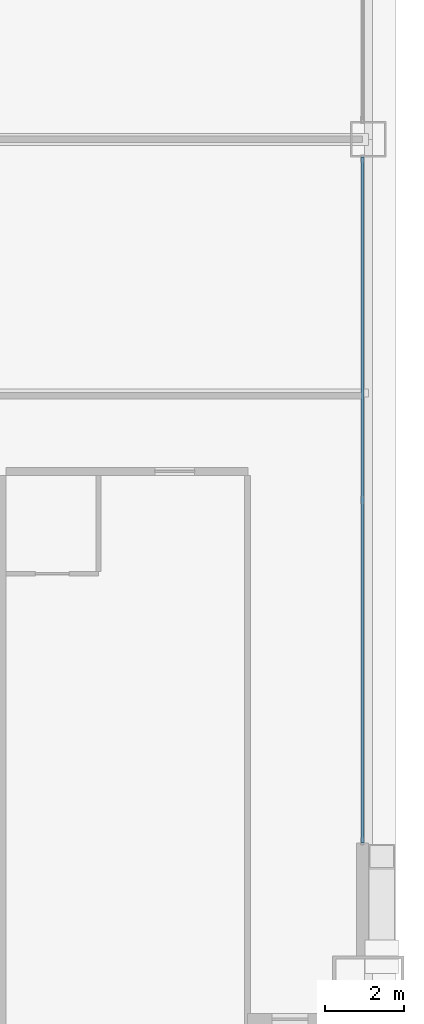
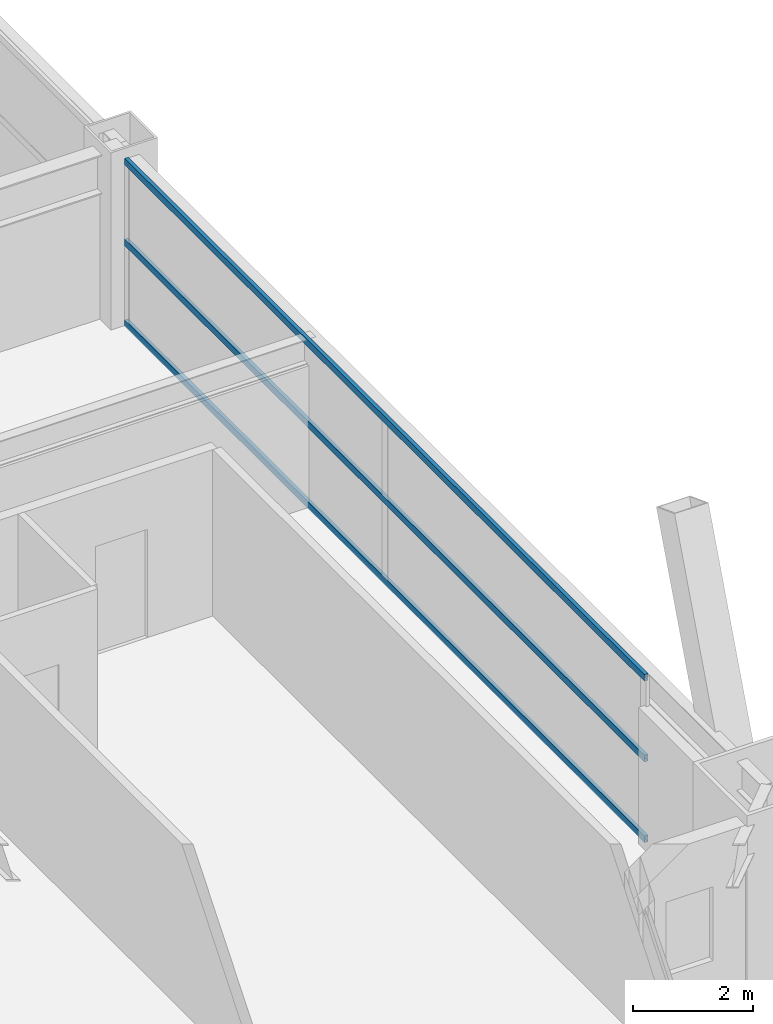
# One storey, part 20 of 43: 3 members, 1 element without a shape of its own.
"""IFC4 building model written with IfcOpenShell, lengths in metres."""

from ifc_helpers import new_model, si_unit, direction, frame, origin, origin_2d, place, context, subcontext, project, spatial, hollow_rectangle, extrude, source, transform, mapped, material, layer, layer_set, material_profile, profile_set, type_object, element, aggregate, save


model = new_model("IFC4")

# Units and contexts
model_context = context("Model", 3, precision=1e-05, world=origin(), true_north=direction((0.0, 1.0)))
body_context = subcontext(model_context, "Body", "Model", "MODEL_VIEW")
ifc_project = project(units=[si_unit("LENGTHUNIT", "METRE"), si_unit("AREAUNIT", "SQUARE_METRE"), si_unit("VOLUMEUNIT", "CUBIC_METRE"), si_unit("PLANEANGLEUNIT", "RADIAN"), si_unit("MASSUNIT", "GRAM", prefix="KILO"), si_unit("THERMODYNAMICTEMPERATUREUNIT", "KELVIN"), si_unit("POWERUNIT", "WATT")], contexts=[model_context])

# Site, building, storey
site_placement = place(None, origin())
site = spatial("IfcSite", under=ifc_project, at=site_placement, CompositionType="ELEMENT")
building_placement = place(site_placement, origin())
building = spatial("IfcBuilding", under=site, at=building_placement, Name="Yuzanri Waterfront Tower", CompositionType="ELEMENT")
storey_placement = place(building_placement, frame((0.0, 0.0, 74.800048828125)))
storey = spatial("IfcBuildingStorey", under=building, at=storey_placement, Name="L19", CompositionType="ELEMENT", Elevation=74.800048828125)

# Curtain wall, members
ifc_material_1 = material(Name="Anodized Architectural Bronze", Category="metal")
ifc_layer = layer(ifc_material_1, 0.159912109375)
ifc_layer_set = layer_set([ifc_layer], Name="Anodized Architectural Bronze")
curtain_wall_type = type_object("IfcCurtainWallType", Name="Anodized Bronze Hotel Lower-Tier Recessed Unitized Curtain Wall 8100", PredefinedType="NOTDEFINED", material=ifc_layer_set)
curtain_wall_placement = place(storey_placement, origin())
curtain_wall = element("IfcCurtainWall", 1, at=curtain_wall_placement, inside=storey, type_object=curtain_wall_type, Name="L19 Curtain Wall CW-L19-EL", PredefinedType="NOTDEFINED")
ifc_material_2 = material(Name="Anodized Architectural Bronze", Category="metal")
ifc_material_profile = material_profile(ifc_material_2, hollow_rectangle(XDim=0.070068359375, YDim=0.135009765625, WallThickness=0.00341796875, at=origin_2d()), Name="CWT 70x135")
ifc_profile_set = profile_set([ifc_material_profile], Name="Anodized Architectural Bronze")
member_type = type_object("IfcMemberType", Name="Anodized Bronze Standard Curtain-Wall Transom 70x135", PredefinedType="USERDEFINED", material=ifc_profile_set)
shared_shape = source(origin(), body_context, "Body", "SweptSolid", [
    extrude(hollow_rectangle(XDim=0.070068359375, YDim=0.135009765625, WallThickness=0.00341796875, at=origin_2d()), origin(), (0.0, 0.0, 1.0), 17.300048828125),
])
member_1_placement = place(storey_placement, frame((61.949951171875, 8.050048828125, 0.050048828125), z_axis=(0.0, 1.0, 0.0), x_axis=(-1.0, 0.0, 0.0)))
member_1 = element("IfcMember", 2, at=member_1_placement, type_object=member_type, Name="CW-L19-EL Transom 1", ObjectType="TRANSOM", PredefinedType="USERDEFINED", context=body_context, shape_type="MappedRepresentation", body=[
    mapped(shared_shape, transform((0.0, 0.0, 0.0), scale=1.0)),
])
member_2_placement = place(storey_placement, frame((61.949951171875, 8.050048828125, 1.68994140625), z_axis=(0.0, 1.0, 0.0), x_axis=(-1.0, 0.0, 0.0)))
member_2 = element("IfcMember", 3, at=member_2_placement, type_object=member_type, Name="CW-L19-EL Transom 2", ObjectType="TRANSOM", PredefinedType="USERDEFINED", context=body_context, shape_type="MappedRepresentation", body=[
    mapped(shared_shape, transform((0.0, 0.0, 0.0), scale=1.0)),
])
member_3_placement = place(storey_placement, frame((61.949951171875, 8.050048828125, 3.329833984375), z_axis=(0.0, 1.0, 0.0), x_axis=(-1.0, 0.0, 0.0)))
member_3 = element("IfcMember", 4, at=member_3_placement, type_object=member_type, Name="CW-L19-EL Transom 3", ObjectType="TRANSOM", PredefinedType="USERDEFINED", context=body_context, shape_type="MappedRepresentation", body=[
    mapped(shared_shape, transform((0.0, 0.0, 0.0), scale=1.0)),
])
aggregate(curtain_wall, [member_1, member_2, member_3])

save(model, "model.ifc")
